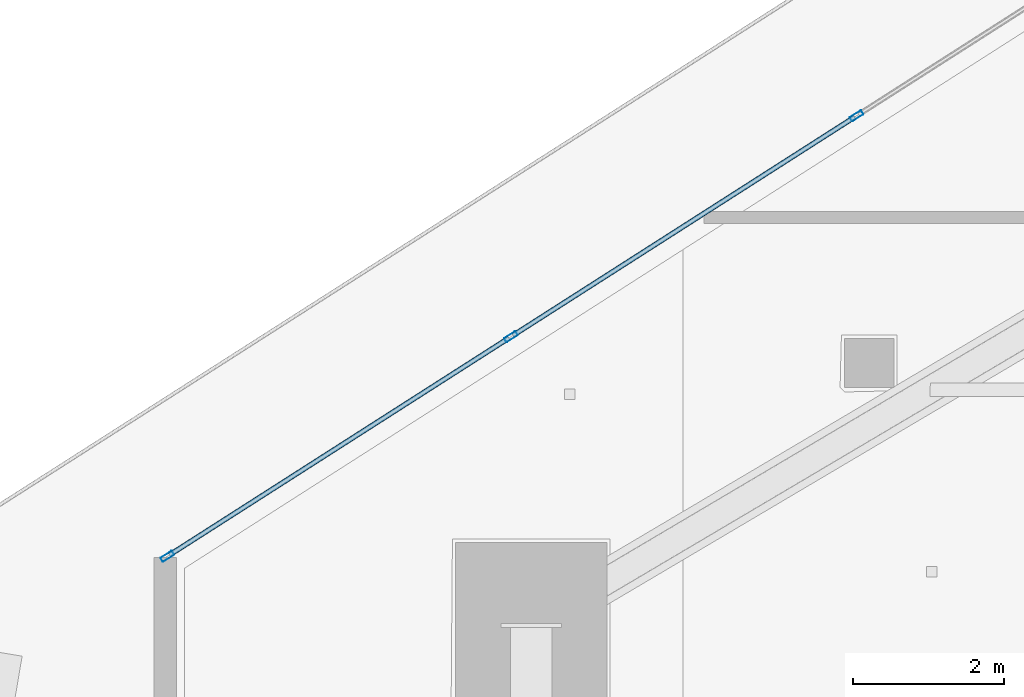
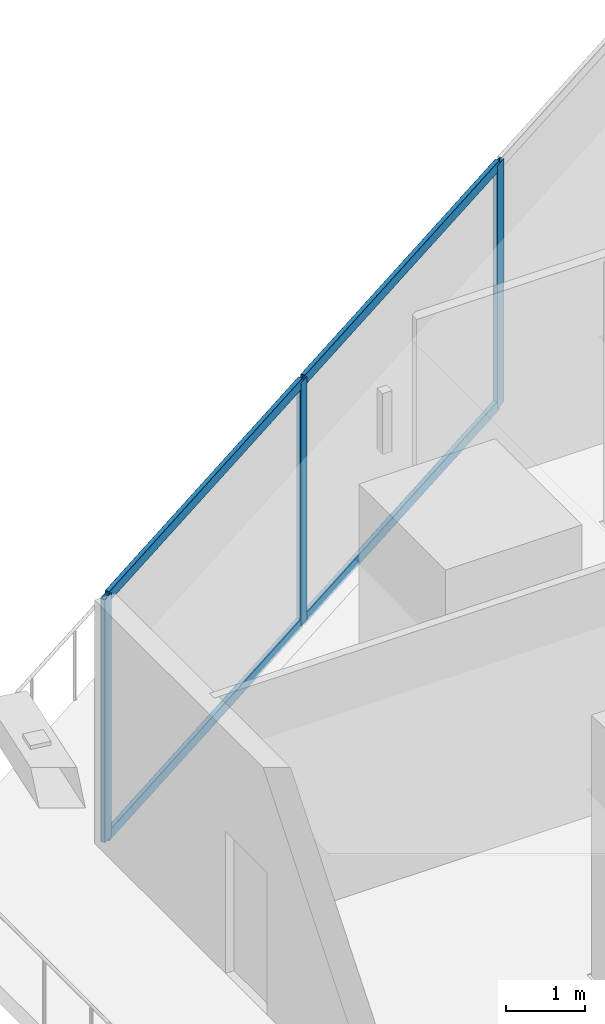
# One storey, part 13 of 45: 7 members, 1 element without a shape of its own.
"""IFC4 building model written with IfcOpenShell, lengths in metres."""

from ifc_helpers import new_model, si_unit, direction, frame, origin, origin_2d, place, context, subcontext, project, spatial, hollow_rectangle, extrude, material, layer, layer_set, material_profile, profile_set, type_object, element, aggregate, save


model = new_model("IFC4")

# Units and contexts
model_context = context("Model", 3, precision=1e-05, world=origin(), true_north=direction((0.0, 1.0)))
body_context = subcontext(model_context, "Body", "Model", "MODEL_VIEW")
ifc_project = project(units=[si_unit("LENGTHUNIT", "METRE"), si_unit("AREAUNIT", "SQUARE_METRE"), si_unit("VOLUMEUNIT", "CUBIC_METRE"), si_unit("PLANEANGLEUNIT", "RADIAN"), si_unit("MASSUNIT", "GRAM", prefix="KILO")], contexts=[model_context])

# Site, building, storey
site_placement = place(None, origin())
site = spatial("IfcSite", under=ifc_project, at=site_placement, CompositionType="ELEMENT")
building_placement = place(site_placement, origin())
building = spatial("IfcBuilding", under=site, at=building_placement, Name="Qorvath Tower", CompositionType="ELEMENT")
storey_placement = place(building_placement, frame((0.0, 0.0, 126.0)))
storey = spatial("IfcBuildingStorey", under=building, at=storey_placement, Name="L28", CompositionType="ELEMENT", Elevation=126.0)

# Curtain wall, members
ifc_material_1 = material(Name="Anodised aluminium and triple low-E glass", Category="aluminium")
ifc_layer = layer(ifc_material_1, 0.179931640625)
ifc_layer_set = layer_set([ifc_layer], Name="CW-SYS-2")
curtain_wall_type = type_object("IfcCurtainWallType", Name="CW-SYS-2", PredefinedType="NOTDEFINED", material=ifc_layer_set)
curtain_wall_placement = place(storey_placement, origin())
curtain_wall = element("IfcCurtainWall", 1, at=curtain_wall_placement, inside=storey, type_object=curtain_wall_type, Name="Curtain Wall CW-2 CW-T-L28-16.3", PredefinedType="NOTDEFINED")
ifc_material_2 = material(Name="Anodised aluminium 6063-T6", Category="aluminium")
ifc_material_profile_1 = material_profile(ifc_material_2, hollow_rectangle(XDim=0.06494140625, YDim=0.179931640625, WallThickness=0.00341796875, InnerFilletRadius=0.00341796875, OuterFilletRadius=0.007080078125, at=origin_2d()), Name="CWM 180x65")
ifc_profile_set_1 = profile_set([ifc_material_profile_1], Name="Anodised aluminium 6063-T6")
member_type_1 = type_object("IfcMemberType", Name="CWM-180", PredefinedType="MULLION", material=ifc_profile_set_1)
member_1_placement = place(storey_placement, frame((-48.7451171875, 9.69287109375, 0.0), z_axis=(0.0, 0.0, 1.0), x_axis=(0.538534177075, -0.842603667285, 0.0)))
member_1 = element("IfcMember", 2, at=member_1_placement, type_object=member_type_1, Name="CW-2 mullion 4", PredefinedType="MULLION", context=body_context, shape_type="SweptSolid", body=[
    extrude(hollow_rectangle(XDim=0.06494140625, YDim=0.179931640625, WallThickness=0.00341796875, InnerFilletRadius=0.00341796875, OuterFilletRadius=0.007080078125, at=origin_2d()), origin(), (0.0, 0.0, 1.0), 3.77001953125),
])
member_2_placement = place(storey_placement, frame((-53.317138671875, 6.770751953125, 0.0), z_axis=(0.0, 0.0, 1.0), x_axis=(0.538534177075, -0.842603667285, 0.0)))
member_2 = element("IfcMember", 3, at=member_2_placement, type_object=member_type_1, Name="CW-2 mullion 5", PredefinedType="MULLION", context=body_context, shape_type="SweptSolid", body=[
    extrude(hollow_rectangle(XDim=0.06494140625, YDim=0.179931640625, WallThickness=0.00341796875, InnerFilletRadius=0.00341796875, OuterFilletRadius=0.007080078125, at=origin_2d()), origin(), (0.0, 0.0, 1.0), 3.77001953125),
])
member_3_placement = place(storey_placement, frame((-57.86181640625, 3.8662109375, 0.0), z_axis=(0.0, 0.0, 1.0), x_axis=(0.538534177075, -0.842603667285, 0.0)))
member_3 = element("IfcMember", 4, at=member_3_placement, type_object=member_type_1, Name="CW-2 mullion 6", PredefinedType="MULLION", context=body_context, shape_type="SweptSolid", body=[
    extrude(hollow_rectangle(XDim=0.06494140625, YDim=0.179931640625, WallThickness=0.00341796875, InnerFilletRadius=0.00341796875, OuterFilletRadius=0.007080078125, at=origin_2d()), origin(), (0.0, 0.0, 1.0), 3.77001953125),
])
ifc_material_3 = material(Name="Anodised aluminium 6063-T6", Category="aluminium")
ifc_material_profile_2 = material_profile(ifc_material_3, hollow_rectangle(XDim=0.06494140625, YDim=0.159912109375, WallThickness=0.00341796875, InnerFilletRadius=0.00341796875, OuterFilletRadius=0.007080078125, at=origin_2d()), Name="CWT 160x65")
ifc_profile_set_2 = profile_set([ifc_material_profile_2], Name="Anodised aluminium 6063-T6")
member_type_2 = type_object("IfcMemberType", Name="CWT-160", PredefinedType="USERDEFINED", material=ifc_profile_set_2)
member_4_placement = place(storey_placement, frame((-48.7724609375, 9.67529296875, 0.032470703125), z_axis=(-0.842621067422, -0.538506951428, 0.0), x_axis=(0.538506951428, -0.842621067422, 0.0)))
member_4 = element("IfcMember", 5, at=member_4_placement, type_object=member_type_2, Name="CW-2 transom 4.1", ObjectType="TRANSOM", PredefinedType="USERDEFINED", context=body_context, shape_type="SweptSolid", body=[
    extrude(hollow_rectangle(XDim=0.06494140625, YDim=0.159912109375, WallThickness=0.00341796875, InnerFilletRadius=0.00341796875, OuterFilletRadius=0.007080078125, at=origin_2d()), origin(), (0.0, 0.0, 1.0), 5.361083984375),
])
member_5_placement = place(storey_placement, frame((-48.7724609375, 9.67529296875, 3.737548828125), z_axis=(-0.842621067422, -0.538506951428, 0.0), x_axis=(0.538506951428, -0.842621067422, 0.0)))
member_5 = element("IfcMember", 6, at=member_5_placement, type_object=member_type_2, Name="CW-2 transom 4.2", ObjectType="TRANSOM", PredefinedType="USERDEFINED", context=body_context, shape_type="SweptSolid", body=[
    extrude(hollow_rectangle(XDim=0.06494140625, YDim=0.159912109375, WallThickness=0.00341796875, InnerFilletRadius=0.00341796875, OuterFilletRadius=0.007080078125, at=origin_2d()), origin(), (0.0, 0.0, 1.0), 5.361083984375),
])
member_6_placement = place(storey_placement, frame((-53.344482421875, 6.753173828125, 0.032470703125), z_axis=(-0.842609059562, -0.538525740095, 0.0), x_axis=(0.538525740095, -0.842609059562, 0.0)))
member_6 = element("IfcMember", 7, at=member_6_placement, type_object=member_type_2, Name="CW-2 transom 5.1", ObjectType="TRANSOM", PredefinedType="USERDEFINED", context=body_context, shape_type="SweptSolid", body=[
    extrude(hollow_rectangle(XDim=0.06494140625, YDim=0.159912109375, WallThickness=0.00341796875, InnerFilletRadius=0.00341796875, OuterFilletRadius=0.007080078125, at=origin_2d()), origin(), (0.0, 0.0, 1.0), 5.32861328125),
])
member_7_placement = place(storey_placement, frame((-53.344482421875, 6.753173828125, 3.737548828125), z_axis=(-0.842609059562, -0.538525740095, 0.0), x_axis=(0.538525740095, -0.842609059562, 0.0)))
member_7 = element("IfcMember", 8, at=member_7_placement, type_object=member_type_2, Name="CW-2 transom 5.2", ObjectType="TRANSOM", PredefinedType="USERDEFINED", context=body_context, shape_type="SweptSolid", body=[
    extrude(hollow_rectangle(XDim=0.06494140625, YDim=0.159912109375, WallThickness=0.00341796875, InnerFilletRadius=0.00341796875, OuterFilletRadius=0.007080078125, at=origin_2d()), origin(), (0.0, 0.0, 1.0), 5.32861328125),
])
aggregate(curtain_wall, [member_1, member_2, member_3, member_4, member_5, member_6, member_7])

save(model, "model.ifc")
